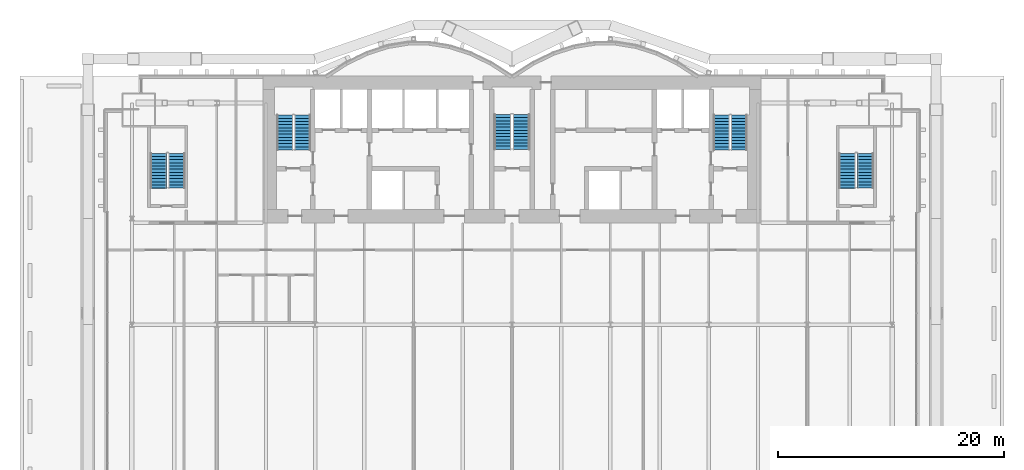
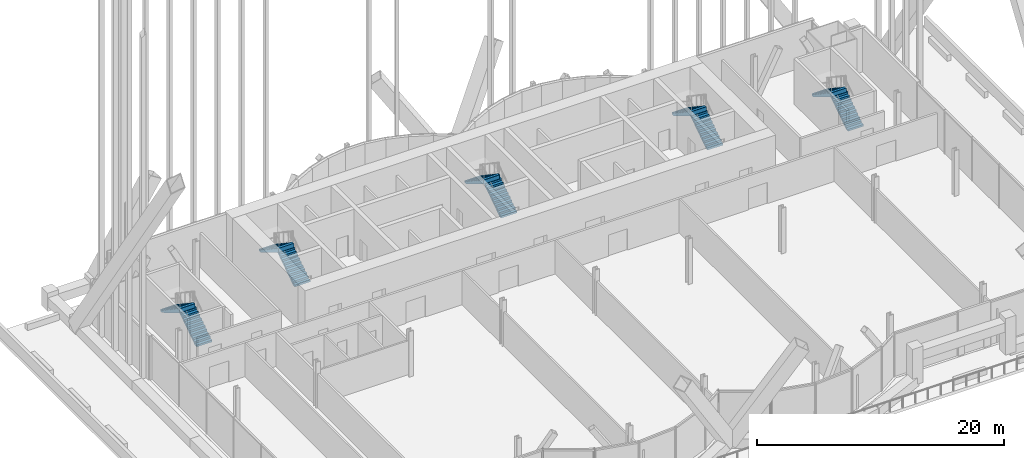
# One storey, part 27 of 29: 10 stair flights, 5 elements without a shape of their own.
"""IFC4 building model written with IfcOpenShell, lengths in metres."""

from ifc_helpers import new_model, si_unit, direction, frame, origin, place, context, subcontext, project, spatial, polyline, outline, extrude, material, type_object, element, aggregate, save


model = new_model("IFC4")

# Units and contexts
model_context = context("Model", 3, precision=1e-05, world=origin(), true_north=direction((0.0, 1.0)))
body_context = subcontext(model_context, "Body", "Model", "MODEL_VIEW")
ifc_project = project(units=[si_unit("LENGTHUNIT", "METRE"), si_unit("AREAUNIT", "SQUARE_METRE"), si_unit("VOLUMEUNIT", "CUBIC_METRE"), si_unit("PLANEANGLEUNIT", "RADIAN"), si_unit("MASSUNIT", "GRAM", prefix="KILO")], contexts=[model_context])

# Site, building, storey
site_placement = place(None, origin())
site = spatial("IfcSite", under=ifc_project, at=site_placement, CompositionType="ELEMENT")
building_placement = place(site_placement, origin())
building = spatial("IfcBuilding", under=site, at=building_placement, Name="Bicima Exchange Tower", CompositionType="ELEMENT")
storey_placement = place(building_placement, frame((0.0, 0.0, 35.0)))
storey = spatial("IfcBuildingStorey", under=building, at=storey_placement, Name="L06", CompositionType="ELEMENT", Elevation=35.0)

# Stair, stair flights
ifc_material = material(Name="Concrete C50/60", Category="concrete")
stair_type_1 = type_object("IfcStairType", Name="Exit stair", PredefinedType="HALF_TURN_STAIR", material=ifc_material)
stair_1_placement = place(storey_placement, origin())
stair_1 = element("IfcStair", 1, at=stair_1_placement, inside=storey, type_object=stair_type_1, Name="L06 West exit stair", PredefinedType="HALF_TURN_STAIR")
stair_flight_type_1 = type_object("IfcStairFlightType", Name="Stair flight RC", PredefinedType="STRAIGHT", material=ifc_material)
stair_flight_1_placement = place(storey_placement, frame((-18.52490234375, -6.550048828125, 0.0), z_axis=(0.0, 0.0, 1.0), x_axis=(0.0, 1.0, 0.0)))
stair_flight_1 = element("IfcStairFlight", 2, at=stair_flight_1_placement, type_object=stair_flight_type_1, Name="ST-W flight 1", NumberOfRisers=12, NumberOfTreads=11, PredefinedType="STRAIGHT", RiserHeight=0.1875, TreadLength=0.28, context=body_context, shape_type="SweptSolid", body=[
    extrude(outline(polyline([(0.0, 0.0), (0.0, 0.1875), (0.280029296875, 0.1875), (0.280029296875, 0.375), (0.56005859375, 0.375), (0.56005859375, 0.5625), (0.840087890625, 0.5625), (0.840087890625, 0.75), (1.1201171875, 0.75), (1.1201171875, 0.9375), (1.39990234375, 0.9375), (1.39990234375, 1.125), (1.679931640625, 1.125), (1.679931640625, 1.3125), (1.9599609375, 1.3125), (1.9599609375, 1.5), (2.239990234375, 1.5), (2.239990234375, 1.6875), (2.52001953125, 1.6875), (2.52001953125, 1.875), (2.800048828125, 1.875), (2.800048828125, 2.0625), (3.080078125, 2.0625), (3.080078125, 2.25), (3.080078125, 1.882080078125), (0.26953125, 0.0), (0.0, 0.0)])), frame((0.0, 0.72509765625, 0.0), z_axis=(0.0, -1.0, 0.0), x_axis=(1.0, 0.0, 0.0)), (0.0, 0.0, 1.0), 1.449951171875),
])
stair_flight_2_placement = place(storey_placement, frame((-20.074951171875, -3.469970703125, 2.25), z_axis=(0.0, 0.0, 1.0), x_axis=(0.0, -1.0, 0.0)))
stair_flight_2 = element("IfcStairFlight", 3, at=stair_flight_2_placement, type_object=stair_flight_type_1, Name="ST-W flight 2", NumberOfRisers=12, NumberOfTreads=11, PredefinedType="STRAIGHT", RiserHeight=0.1875, TreadLength=0.28, context=body_context, shape_type="SweptSolid", body=[
    extrude(outline(polyline([(0.0, 0.0), (0.0, 0.1875), (0.280029296875, 0.1875), (0.280029296875, 0.375), (0.56005859375, 0.375), (0.56005859375, 0.5625), (0.840087890625, 0.5625), (0.840087890625, 0.75), (1.1201171875, 0.75), (1.1201171875, 0.9375), (1.39990234375, 0.9375), (1.39990234375, 1.125), (1.679931640625, 1.125), (1.679931640625, 1.3125), (1.9599609375, 1.3125), (1.9599609375, 1.5), (2.239990234375, 1.5), (2.239990234375, 1.6875), (2.52001953125, 1.6875), (2.52001953125, 1.875), (2.800048828125, 1.875), (2.800048828125, 2.0625), (3.080078125, 2.0625), (3.080078125, 2.10400390625), (3.094970703125, 2.10400390625), (3.094970703125, 1.70458984375), (0.26953125, 0.0), (0.0, 0.0)])), frame((0.0, 0.72509765625, 0.0), z_axis=(0.0, -1.0, 0.0), x_axis=(1.0, 0.0, 0.0)), (0.0, 0.0, 1.0), 1.449951171875),
])
aggregate(stair_1, [stair_flight_1, stair_flight_2])

stair_2_placement = place(storey_placement, origin())
stair_2 = element("IfcStair", 4, at=stair_2_placement, inside=storey, type_object=stair_type_1, Name="L06 East exit stair", PredefinedType="HALF_TURN_STAIR")
stair_flight_3_placement = place(storey_placement, frame((20.074951171875, -6.550048828125, 0.0), z_axis=(0.0, 0.0, 1.0), x_axis=(0.0, 1.0, 0.0)))
stair_flight_3 = element("IfcStairFlight", 5, at=stair_flight_3_placement, type_object=stair_flight_type_1, Name="ST-E flight 1", NumberOfRisers=12, NumberOfTreads=11, PredefinedType="STRAIGHT", RiserHeight=0.1875, TreadLength=0.28, context=body_context, shape_type="SweptSolid", body=[
    extrude(outline(polyline([(0.0, 0.0), (0.0, 0.1875), (0.280029296875, 0.1875), (0.280029296875, 0.375), (0.56005859375, 0.375), (0.56005859375, 0.5625), (0.840087890625, 0.5625), (0.840087890625, 0.75), (1.1201171875, 0.75), (1.1201171875, 0.9375), (1.39990234375, 0.9375), (1.39990234375, 1.125), (1.679931640625, 1.125), (1.679931640625, 1.3125), (1.9599609375, 1.3125), (1.9599609375, 1.5), (2.239990234375, 1.5), (2.239990234375, 1.6875), (2.52001953125, 1.6875), (2.52001953125, 1.875), (2.800048828125, 1.875), (2.800048828125, 2.0625), (3.080078125, 2.0625), (3.080078125, 2.25), (3.080078125, 1.882080078125), (0.26953125, 0.0), (0.0, 0.0)])), frame((0.0, 0.72509765625, 0.0), z_axis=(0.0, -1.0, 0.0), x_axis=(1.0, 0.0, 0.0)), (0.0, 0.0, 1.0), 1.449951171875),
])
stair_flight_4_placement = place(storey_placement, frame((18.52490234375, -3.469970703125, 2.25), z_axis=(0.0, 0.0, 1.0), x_axis=(0.0, -1.0, 0.0)))
stair_flight_4 = element("IfcStairFlight", 6, at=stair_flight_4_placement, type_object=stair_flight_type_1, Name="ST-E flight 2", NumberOfRisers=12, NumberOfTreads=11, PredefinedType="STRAIGHT", RiserHeight=0.1875, TreadLength=0.28, context=body_context, shape_type="SweptSolid", body=[
    extrude(outline(polyline([(0.0, 0.0), (0.0, 0.1875), (0.280029296875, 0.1875), (0.280029296875, 0.375), (0.56005859375, 0.375), (0.56005859375, 0.5625), (0.840087890625, 0.5625), (0.840087890625, 0.75), (1.1201171875, 0.75), (1.1201171875, 0.9375), (1.39990234375, 0.9375), (1.39990234375, 1.125), (1.679931640625, 1.125), (1.679931640625, 1.3125), (1.9599609375, 1.3125), (1.9599609375, 1.5), (2.239990234375, 1.5), (2.239990234375, 1.6875), (2.52001953125, 1.6875), (2.52001953125, 1.875), (2.800048828125, 1.875), (2.800048828125, 2.0625), (3.080078125, 2.0625), (3.080078125, 2.10400390625), (3.094970703125, 2.10400390625), (3.094970703125, 1.70458984375), (0.26953125, 0.0), (0.0, 0.0)])), frame((0.0, 0.72509765625, 0.0), z_axis=(0.0, -1.0, 0.0), x_axis=(1.0, 0.0, 0.0)), (0.0, 0.0, 1.0), 1.449951171875),
])
aggregate(stair_2, [stair_flight_3, stair_flight_4])

stair_3_placement = place(storey_placement, origin())
stair_3 = element("IfcStair", 7, at=stair_3_placement, inside=storey, type_object=stair_type_1, Name="L06 West end exit stair", PredefinedType="HALF_TURN_STAIR")
stair_flight_5_placement = place(storey_placement, frame((-29.64990234375, -9.925048828125, 0.0), z_axis=(0.0, 0.0, 1.0), x_axis=(0.0, 1.0, 0.0)))
stair_flight_5 = element("IfcStairFlight", 8, at=stair_flight_5_placement, type_object=stair_flight_type_1, Name="ST-WW flight 1", NumberOfRisers=12, NumberOfTreads=11, PredefinedType="STRAIGHT", RiserHeight=0.1875, TreadLength=0.28, context=body_context, shape_type="SweptSolid", body=[
    extrude(outline(polyline([(0.0, 0.0), (0.0, 0.1875), (0.280029296875, 0.1875), (0.280029296875, 0.375), (0.56005859375, 0.375), (0.56005859375, 0.5625), (0.840087890625, 0.5625), (0.840087890625, 0.75), (1.1201171875, 0.75), (1.1201171875, 0.9375), (1.39990234375, 0.9375), (1.39990234375, 1.125), (1.679931640625, 1.125), (1.679931640625, 1.3125), (1.9599609375, 1.3125), (1.9599609375, 1.5), (2.239990234375, 1.5), (2.239990234375, 1.6875), (2.52001953125, 1.6875), (2.52001953125, 1.875), (2.800048828125, 1.875), (2.800048828125, 2.0625), (3.080078125, 2.0625), (3.080078125, 2.25), (3.080078125, 1.882080078125), (0.26953125, 0.0), (0.0, 0.0)])), frame((0.0, 0.72509765625, 0.0), z_axis=(0.0, -1.0, 0.0), x_axis=(1.0, 0.0, 0.0)), (0.0, 0.0, 1.0), 1.449951171875),
])
stair_flight_6_placement = place(storey_placement, frame((-31.25, -6.844970703125, 2.25), z_axis=(0.0, 0.0, 1.0), x_axis=(0.0, -1.0, 0.0)))
stair_flight_6 = element("IfcStairFlight", 9, at=stair_flight_6_placement, type_object=stair_flight_type_1, Name="ST-WW flight 2", NumberOfRisers=12, NumberOfTreads=11, PredefinedType="STRAIGHT", RiserHeight=0.1875, TreadLength=0.28, context=body_context, shape_type="SweptSolid", body=[
    extrude(outline(polyline([(0.0, 0.0), (0.0, 0.1875), (0.280029296875, 0.1875), (0.280029296875, 0.375), (0.56005859375, 0.375), (0.56005859375, 0.5625), (0.840087890625, 0.5625), (0.840087890625, 0.75), (1.1201171875, 0.75), (1.1201171875, 0.9375), (1.39990234375, 0.9375), (1.39990234375, 1.125), (1.679931640625, 1.125), (1.679931640625, 1.3125), (1.9599609375, 1.3125), (1.9599609375, 1.5), (2.239990234375, 1.5), (2.239990234375, 1.6875), (2.52001953125, 1.6875), (2.52001953125, 1.875), (2.800048828125, 1.875), (2.800048828125, 2.0625), (3.080078125, 2.0625), (3.080078125, 2.10400390625), (3.094970703125, 2.10400390625), (3.094970703125, 1.70458984375), (0.26953125, 0.0), (0.0, 0.0)])), frame((0.0, 0.72509765625, 0.0), z_axis=(0.0, -1.0, 0.0), x_axis=(1.0, 0.0, 0.0)), (0.0, 0.0, 1.0), 1.449951171875),
])
aggregate(stair_3, [stair_flight_5, stair_flight_6])

stair_4_placement = place(storey_placement, origin())
stair_4 = element("IfcStair", 10, at=stair_4_placement, inside=storey, type_object=stair_type_1, Name="L06 East end exit stair", PredefinedType="HALF_TURN_STAIR")
stair_flight_7_placement = place(storey_placement, frame((31.25, -9.925048828125, 0.0), z_axis=(0.0, 0.0, 1.0), x_axis=(0.0, 1.0, 0.0)))
stair_flight_7 = element("IfcStairFlight", 11, at=stair_flight_7_placement, type_object=stair_flight_type_1, Name="ST-EE flight 1", NumberOfRisers=12, NumberOfTreads=11, PredefinedType="STRAIGHT", RiserHeight=0.1875, TreadLength=0.28, context=body_context, shape_type="SweptSolid", body=[
    extrude(outline(polyline([(0.0, 0.0), (0.0, 0.1875), (0.280029296875, 0.1875), (0.280029296875, 0.375), (0.56005859375, 0.375), (0.56005859375, 0.5625), (0.840087890625, 0.5625), (0.840087890625, 0.75), (1.1201171875, 0.75), (1.1201171875, 0.9375), (1.39990234375, 0.9375), (1.39990234375, 1.125), (1.679931640625, 1.125), (1.679931640625, 1.3125), (1.9599609375, 1.3125), (1.9599609375, 1.5), (2.239990234375, 1.5), (2.239990234375, 1.6875), (2.52001953125, 1.6875), (2.52001953125, 1.875), (2.800048828125, 1.875), (2.800048828125, 2.0625), (3.080078125, 2.0625), (3.080078125, 2.25), (3.080078125, 1.882080078125), (0.26953125, 0.0), (0.0, 0.0)])), frame((0.0, 0.72509765625, 0.0), z_axis=(0.0, -1.0, 0.0), x_axis=(1.0, 0.0, 0.0)), (0.0, 0.0, 1.0), 1.449951171875),
])
stair_flight_8_placement = place(storey_placement, frame((29.64990234375, -6.844970703125, 2.25), z_axis=(0.0, 0.0, 1.0), x_axis=(0.0, -1.0, 0.0)))
stair_flight_8 = element("IfcStairFlight", 12, at=stair_flight_8_placement, type_object=stair_flight_type_1, Name="ST-EE flight 2", NumberOfRisers=12, NumberOfTreads=11, PredefinedType="STRAIGHT", RiserHeight=0.1875, TreadLength=0.28, context=body_context, shape_type="SweptSolid", body=[
    extrude(outline(polyline([(0.0, 0.0), (0.0, 0.1875), (0.280029296875, 0.1875), (0.280029296875, 0.375), (0.56005859375, 0.375), (0.56005859375, 0.5625), (0.840087890625, 0.5625), (0.840087890625, 0.75), (1.1201171875, 0.75), (1.1201171875, 0.9375), (1.39990234375, 0.9375), (1.39990234375, 1.125), (1.679931640625, 1.125), (1.679931640625, 1.3125), (1.9599609375, 1.3125), (1.9599609375, 1.5), (2.239990234375, 1.5), (2.239990234375, 1.6875), (2.52001953125, 1.6875), (2.52001953125, 1.875), (2.800048828125, 1.875), (2.800048828125, 2.0625), (3.080078125, 2.0625), (3.080078125, 2.10400390625), (3.094970703125, 2.10400390625), (3.094970703125, 1.70458984375), (0.26953125, 0.0), (0.0, 0.0)])), frame((0.0, 0.72509765625, 0.0), z_axis=(0.0, -1.0, 0.0), x_axis=(1.0, 0.0, 0.0)), (0.0, 0.0, 1.0), 1.449951171875),
])
aggregate(stair_4, [stair_flight_7, stair_flight_8])

stair_type_2 = type_object("IfcStairType", Name="Exit stair 1500", PredefinedType="HALF_TURN_STAIR", material=ifc_material)
stair_5_placement = place(storey_placement, origin())
stair_5 = element("IfcStair", 13, at=stair_5_placement, inside=storey, type_object=stair_type_2, Name="L06 Central exit stair", PredefinedType="HALF_TURN_STAIR")
stair_flight_type_2 = type_object("IfcStairFlightType", Name="Stair flight RC 1500", PredefinedType="STRAIGHT", material=ifc_material)
stair_flight_9_placement = place(storey_placement, frame((0.824951171875, -6.5, 0.0), z_axis=(0.0, 0.0, 1.0), x_axis=(0.0, 1.0, 0.0)))
stair_flight_9 = element("IfcStairFlight", 14, at=stair_flight_9_placement, type_object=stair_flight_type_2, Name="ST-C flight 1", NumberOfRisers=12, NumberOfTreads=11, PredefinedType="STRAIGHT", RiserHeight=0.1875, TreadLength=0.28, context=body_context, shape_type="SweptSolid", body=[
    extrude(outline(polyline([(0.0, 0.0), (0.0, 0.1875), (0.280029296875, 0.1875), (0.280029296875, 0.375), (0.56005859375, 0.375), (0.56005859375, 0.5625), (0.840087890625, 0.5625), (0.840087890625, 0.75), (1.1201171875, 0.75), (1.1201171875, 0.9375), (1.39990234375, 0.9375), (1.39990234375, 1.125), (1.679931640625, 1.125), (1.679931640625, 1.3125), (1.9599609375, 1.3125), (1.9599609375, 1.5), (2.239990234375, 1.5), (2.239990234375, 1.6875), (2.52001953125, 1.6875), (2.52001953125, 1.875), (2.800048828125, 1.875), (2.800048828125, 2.0625), (3.080078125, 2.0625), (3.080078125, 2.25), (3.080078125, 1.882080078125), (0.26953125, 0.0), (0.0, 0.0)])), frame((0.0, 0.75, 0.0), z_axis=(0.0, -1.0, 0.0), x_axis=(1.0, 0.0, 0.0)), (0.0, 0.0, 1.0), 1.5),
])
stair_flight_10_placement = place(storey_placement, frame((-0.824951171875, -3.419921875, 2.25), z_axis=(0.0, 0.0, 1.0), x_axis=(0.0, -1.0, 0.0)))
stair_flight_10 = element("IfcStairFlight", 15, at=stair_flight_10_placement, type_object=stair_flight_type_2, Name="ST-C flight 2", NumberOfRisers=12, NumberOfTreads=11, PredefinedType="STRAIGHT", RiserHeight=0.1875, TreadLength=0.28, context=body_context, shape_type="SweptSolid", body=[
    extrude(outline(polyline([(0.0, 0.0), (0.0, 0.1875), (0.280029296875, 0.1875), (0.280029296875, 0.375), (0.56005859375, 0.375), (0.56005859375, 0.5625), (0.840087890625, 0.5625), (0.840087890625, 0.75), (1.1201171875, 0.75), (1.1201171875, 0.9375), (1.39990234375, 0.9375), (1.39990234375, 1.125), (1.679931640625, 1.125), (1.679931640625, 1.3125), (1.9599609375, 1.3125), (1.9599609375, 1.5), (2.239990234375, 1.5), (2.239990234375, 1.6875), (2.52001953125, 1.6875), (2.52001953125, 1.875), (2.800048828125, 1.875), (2.800048828125, 2.0625), (3.080078125, 2.0625), (3.080078125, 2.10400390625), (3.094970703125, 2.10400390625), (3.094970703125, 1.70458984375), (0.26953125, 0.0), (0.0, 0.0)])), frame((0.0, 0.75, 0.0), z_axis=(0.0, -1.0, 0.0), x_axis=(1.0, 0.0, 0.0)), (0.0, 0.0, 1.0), 1.5),
])
aggregate(stair_5, [stair_flight_9, stair_flight_10])

save(model, "model.ifc")
